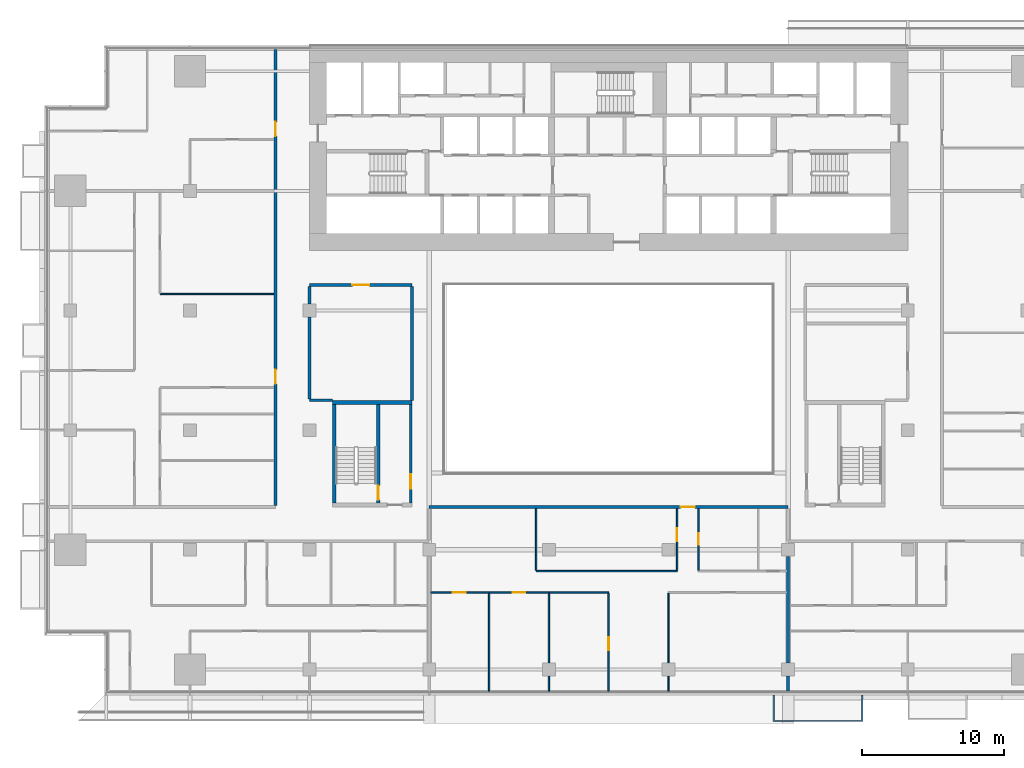
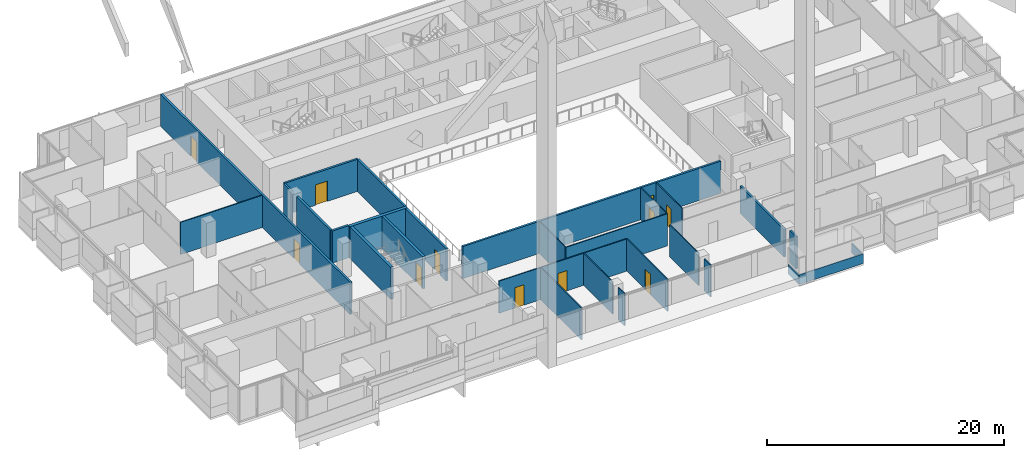
# One storey, part 18 of 30: 26 walls, 11 doors, 11 openings.
"""IFC4 building model written with IfcOpenShell, lengths in metres."""

from ifc_helpers import new_model, si_unit, direction, frame, frame_2d, origin, place, context, subcontext, project, spatial, polyline, rectangle, outline, extrude, material, layer, layer_set, type_object, element, fill, save


model = new_model("IFC4")

# Units and contexts
model_context = context("Model", 3, precision=1e-05, world=origin(), true_north=direction((0.0, 1.0)))
body_context = subcontext(model_context, "Body", "Model", "MODEL_VIEW")
ifc_project = project(units=[si_unit("LENGTHUNIT", "METRE"), si_unit("AREAUNIT", "SQUARE_METRE"), si_unit("VOLUMEUNIT", "CUBIC_METRE"), si_unit("PLANEANGLEUNIT", "RADIAN"), si_unit("MASSUNIT", "GRAM", prefix="KILO")], contexts=[model_context])

# Site, building, storey
site_placement = place(None, origin())
site = spatial("IfcSite", under=ifc_project, at=site_placement, CompositionType="ELEMENT")
building_placement = place(site_placement, origin())
building = spatial("IfcBuilding", under=site, at=building_placement, Name="Saffron Gate Tower", CompositionType="ELEMENT")
storey_placement = place(building_placement, frame((0.0, 0.0, 37.199951171875)))
storey = spatial("IfcBuildingStorey", under=building, at=storey_placement, Name="L07", CompositionType="ELEMENT", Elevation=37.199951171875)

# Wall, opening, door
ifc_material_1 = material(Name="Gypsum board partition on steel studs", Category="steel")
ifc_layer_1 = layer(ifc_material_1, 0.199951171875)
ifc_layer_set_1 = layer_set([ifc_layer_1], Name="CW10 Core partition 200")
wall_type_1 = type_object("IfcWallType", Name="CW10 Core partition 200", PredefinedType="PARTITIONING", material=ifc_layer_set_1)
wall_1_placement = place(storey_placement, frame((73.699951171875, 43.5, 0.0), z_axis=(0.0, 0.0, 1.0), x_axis=(0.0, 1.0, 0.0)))
wall_1 = element("IfcWall", 1, at=wall_1_placement, inside=storey, type_object=wall_type_1, Name="Wall CW10-L07-D-4", PredefinedType="PARTITIONING", context=body_context, shape_type="SweptSolid", body=[
    extrude(rectangle(XDim=6.89990234375, YDim=0.199951171875, at=frame_2d((3.449951171875, 0.0))), origin(), (0.0, 0.0, 1.0), 3.320068359375),
])
opening_1_placement = place(wall_1_placement, frame((1.0, 0.0, 0.0)))
opening_1 = element("IfcOpeningElement", 2, at=opening_1_placement, cuts=wall_1, Name="Opening CR-19", PredefinedType="OPENING", context=body_context, shape_type="SweptSolid", body=[
    extrude(rectangle(XDim=1.0, YDim=2.10009765625, at=frame_2d((0.5, 1.050048828125))), frame((0.0, 0.10986328125, 0.0), z_axis=(0.0, -1.0, 0.0), x_axis=(1.0, 0.0, 0.0)), (0.0, 0.0, 1.0), 0.219970703125),
])
ifc_material_2 = material(Name="Steel fire door set", Category="steel")
door_type_1 = type_object("IfcDoorType", Name="CD4 Lobby door 1000x2100 EI 120", OperationType="NOTDEFINED", PredefinedType="DOOR", material=ifc_material_2)
door_1_placement = place(opening_1_placement, origin())
door_1 = element("IfcDoor", 3, at=door_1_placement, inside=storey, type_object=door_type_1, Name="DOOR CR-19", OperationType="SINGLE_SWING_RIGHT", OverallHeight=2.10009765625, OverallWidth=1.0, PredefinedType="DOOR", context=body_context, shape_type="SweptSolid", body=[
    extrude(rectangle(XDim=1.0, YDim=2.10009765625, at=frame_2d((0.5, 1.050048828125))), frame((0.0, 0.02490234375, 0.0), z_axis=(0.0, -1.0, 0.0), x_axis=(1.0, 0.0, 0.0)), (0.0, 0.0, 1.0), 0.050048828125),
])
fill(opening_1, door_1)

# Wall
ifc_material_3 = material(Name="Concrete C70", Category="concrete")
ifc_layer_2 = layer(ifc_material_3, 0.25)
ifc_layer_set_2 = layer_set([ifc_layer_2], Name="CW2 RC core wall 250 C70")
wall_type_2 = type_object("IfcWallType", Name="CW2 RC core wall 250 C70", PredefinedType="SOLIDWALL", material=ifc_layer_set_2)
wall_2_placement = place(storey_placement, frame((68.324951171875, 43.5, 0.0), z_axis=(0.0, 0.0, 1.0), x_axis=(0.0, 1.0, 0.0)))
element("IfcWall", 4, at=wall_2_placement, inside=storey, type_object=wall_type_2, Name="Wall CW2-L07-D-2", PredefinedType="SOLIDWALL", context=body_context, shape_type="SweptSolid", body=[
    extrude(rectangle(XDim=6.89990234375, YDim=0.25, at=frame_2d((3.449951171875, 0.0))), origin(), (0.0, 0.0, 1.0), 3.320068359375),
])

# Wall, opening, door
wall_3_placement = place(storey_placement, frame((71.425048828125, 43.5, 0.0), z_axis=(0.0, 0.0, 1.0), x_axis=(0.0, 1.0, 0.0)))
wall_3 = element("IfcWall", 5, at=wall_3_placement, inside=storey, type_object=wall_type_2, Name="Wall CW2-L07-D-3", PredefinedType="SOLIDWALL", context=body_context, shape_type="SweptSolid", body=[
    extrude(rectangle(XDim=6.89990234375, YDim=0.25, at=frame_2d((3.449951171875, 0.0))), origin(), (0.0, 0.0, 1.0), 3.320068359375),
])
opening_2_placement = place(wall_3_placement, frame((0.199951171875, 0.0, 0.0)))
opening_2 = element("IfcOpeningElement", 6, at=opening_2_placement, cuts=wall_3, Name="Opening CR-20", PredefinedType="OPENING", context=body_context, shape_type="SweptSolid", body=[
    extrude(rectangle(XDim=1.0, YDim=2.10009765625, at=frame_2d((0.5, 1.050048828125))), frame((0.0, 0.135009765625, 0.0), z_axis=(0.0, -1.0, 0.0), x_axis=(1.0, 0.0, 0.0)), (0.0, 0.0, 1.0), 0.27001953125),
])
door_type_2 = type_object("IfcDoorType", Name="CD5 Stair door 1000x2100 EI 120", OperationType="NOTDEFINED", PredefinedType="DOOR", material=ifc_material_2)
door_2_placement = place(opening_2_placement, origin())
door_2 = element("IfcDoor", 7, at=door_2_placement, inside=storey, type_object=door_type_2, Name="DOOR CR-20", OperationType="SINGLE_SWING_LEFT", OverallHeight=2.10009765625, OverallWidth=1.0, PredefinedType="DOOR", context=body_context, shape_type="SweptSolid", body=[
    extrude(rectangle(XDim=1.0, YDim=2.10009765625, at=frame_2d((0.5, 1.050048828125))), frame((0.0, 0.02490234375, 0.0), z_axis=(0.0, -1.0, 0.0), x_axis=(1.0, 0.0, 0.0)), (0.0, 0.0, 1.0), 0.050048828125),
])
fill(opening_2, door_2)

# Wall
ifc_layer_3 = layer(ifc_material_3, 0.300048828125)
ifc_layer_set_3 = layer_set([ifc_layer_3], Name="CW5 RC core wall 300 C70")
wall_type_3 = type_object("IfcWallType", Name="CW5 RC core wall 300 C70", PredefinedType="SOLIDWALL", material=ifc_layer_set_3)
wall_4_placement = place(storey_placement, frame((68.199951171875, 50.550048828125, 0.0), z_axis=(0.0, 0.0, 1.0), x_axis=(1.0, 0.0, 0.0)))
element("IfcWall", 8, at=wall_4_placement, inside=storey, type_object=wall_type_3, Name="Wall CW5-L07-D-5", PredefinedType="SOLIDWALL", context=body_context, shape_type="SweptSolid", body=[
    extrude(rectangle(XDim=5.60009765625, YDim=0.300048828125, at=frame_2d((2.800048828125, 0.0))), origin(), (0.0, 0.0, 1.0), 3.320068359375),
])

# Wall, openings, doors
ifc_material_4 = material(Name="Plasterboard on steel studs", Category="steel")
ifc_layer_4 = layer(ifc_material_4, 0.10009765625)
ifc_layer_set_4 = layer_set([ifc_layer_4], Name="PW1 Partition 100")
wall_type_4 = type_object("IfcWallType", Name="PW1 Partition 100", PredefinedType="PARTITIONING", material=ifc_layer_set_4)
wall_5_placement = place(storey_placement, frame((87.60009765625, 37.199951171875, 0.0), z_axis=(0.0, 0.0, 1.0), x_axis=(-1.0, 0.0, 0.0)))
wall_5 = element("IfcWall", 9, at=wall_5_placement, inside=storey, type_object=wall_type_4, Name="Partition A1-9", PredefinedType="PARTITIONING", context=body_context, shape_type="SweptSolid", body=[
    extrude(rectangle(XDim=12.5, YDim=0.10009765625, at=frame_2d((6.25, 0.0))), origin(), (0.0, 0.0, 1.0), 3.320068359375),
])
opening_3_placement = place(wall_5_placement, frame((5.85009765625, 0.0, 0.0)))
opening_3 = element("IfcOpeningElement", 10, at=opening_3_placement, cuts=wall_5, Name="Opening A1-14", PredefinedType="OPENING", context=body_context, shape_type="SweptSolid", body=[
    extrude(rectangle(XDim=0.89990234375, YDim=2.10009765625, at=frame_2d((0.449951171875, 1.050048828125))), frame((0.0, 0.06005859375, 0.0), z_axis=(0.0, -1.0, 0.0), x_axis=(1.0, 0.0, 0.0)), (0.0, 0.0, 1.0), 0.1201171875),
])
opening_4_placement = place(wall_5_placement, frame((10.050048828125, 0.0, 0.0)))
opening_4 = element("IfcOpeningElement", 11, at=opening_4_placement, cuts=wall_5, Name="Opening A1-13", PredefinedType="OPENING", context=body_context, shape_type="SweptSolid", body=[
    extrude(rectangle(XDim=0.89990234375, YDim=2.10009765625, at=frame_2d((0.449951171875, 1.050048828125))), frame((0.0, 0.06005859375, 0.0), z_axis=(0.0, -1.0, 0.0), x_axis=(1.0, 0.0, 0.0)), (0.0, 0.0, 1.0), 0.1201171875),
])
ifc_material_5 = material(Name="Timber door set", Category="wood")
door_type_3 = type_object("IfcDoorType", Name="RD1 Room door 900x2100", OperationType="NOTDEFINED", PredefinedType="DOOR", material=ifc_material_5)
door_3_placement = place(opening_3_placement, origin())
door_3 = element("IfcDoor", 12, at=door_3_placement, inside=storey, type_object=door_type_3, Name="Door A1-14", OperationType="SINGLE_SWING_RIGHT", OverallHeight=2.10009765625, OverallWidth=0.89990234375, PredefinedType="DOOR", context=body_context, shape_type="SweptSolid", body=[
    extrude(rectangle(XDim=0.89990234375, YDim=2.10009765625, at=frame_2d((0.449951171875, 1.050048828125))), frame((0.0, 0.02490234375, 0.0), z_axis=(0.0, -1.0, 0.0), x_axis=(1.0, 0.0, 0.0)), (0.0, 0.0, 1.0), 0.050048828125),
])
fill(opening_3, door_3)
door_4_placement = place(opening_4_placement, origin())
door_4 = element("IfcDoor", 13, at=door_4_placement, inside=storey, type_object=door_type_3, Name="Door A1-13", OperationType="SINGLE_SWING_RIGHT", OverallHeight=2.10009765625, OverallWidth=0.89990234375, PredefinedType="DOOR", context=body_context, shape_type="SweptSolid", body=[
    extrude(rectangle(XDim=0.89990234375, YDim=2.10009765625, at=frame_2d((0.449951171875, 1.050048828125))), frame((0.0, 0.02490234375, 0.0), z_axis=(0.0, -1.0, 0.0), x_axis=(1.0, 0.0, 0.0)), (0.0, 0.0, 1.0), 0.050048828125),
])
fill(opening_4, door_4)

# Walls
wall_6_placement = place(storey_placement, frame((82.5, 38.699951171875, 0.0), z_axis=(0.0, 0.0, 1.0), x_axis=(1.0, 0.0, 0.0)))
element("IfcWall", 14, at=wall_6_placement, inside=storey, type_object=wall_type_4, Name="Partition A1-11", PredefinedType="PARTITIONING", context=body_context, shape_type="SweptSolid", body=[
    extrude(rectangle(XDim=9.89990234375, YDim=0.10009765625, at=frame_2d((4.949951171875, 0.0))), origin(), (0.0, 0.0, 1.0), 3.320068359375),
])
wall_7_placement = place(storey_placement, frame((56.10009765625, 58.16162109375, 0.0), z_axis=(0.0, 0.0, 1.0), x_axis=(1.0, 0.0, 0.0)))
element("IfcWall", 15, at=wall_7_placement, inside=storey, type_object=wall_type_4, Name="Partition A1-37", PredefinedType="PARTITIONING", context=body_context, shape_type="SweptSolid", body=[
    extrude(rectangle(XDim=8.0, YDim=0.10009765625, at=frame_2d((4.0, 0.0))), origin(), (0.0, 0.0, 1.0), 3.320068359375),
])
wall_8_placement = place(storey_placement, frame((79.199951171875, 37.14990234375, 0.0), z_axis=(0.0, 0.0, 1.0), x_axis=(0.0, -1.0, 0.0)))
element("IfcWall", 16, at=wall_8_placement, inside=storey, type_object=wall_type_4, Name="Partition A1-75", PredefinedType="PARTITIONING", context=body_context, shape_type="SweptSolid", body=[
    extrude(rectangle(XDim=6.869873046875, YDim=0.10009765625, at=frame_2d((3.43505859375, 0.0))), origin(), (0.0, 0.0, 1.0), 3.320068359375),
])
wall_9_placement = place(storey_placement, frame((82.5, 43.10009765625, 0.0), z_axis=(0.0, 0.0, 1.0), x_axis=(0.0, -1.0, 0.0)))
element("IfcWall", 17, at=wall_9_placement, inside=storey, type_object=wall_type_4, Name="Partition A1-76", PredefinedType="PARTITIONING", context=body_context, shape_type="SweptSolid", body=[
    extrude(rectangle(XDim=4.35009765625, YDim=0.10009765625, at=frame_2d((2.175048828125, 0.0))), origin(), (0.0, 0.0, 1.0), 3.320068359375),
])
wall_10_placement = place(storey_placement, frame((83.39990234375, 31.330078125, 0.0), z_axis=(0.0, 0.0, 1.0), x_axis=(0.0, -1.0, 0.0)))
element("IfcWall", 18, at=wall_10_placement, inside=storey, type_object=wall_type_4, Name="Partition A1-77", PredefinedType="PARTITIONING", context=body_context, shape_type="SweptSolid", body=[
    extrude(rectangle(XDim=1.050048828125, YDim=0.10009765625, at=frame_2d((0.52490234375, 0.0))), origin(), (0.0, 0.0, 1.0), 3.320068359375),
])
wall_11_placement = place(storey_placement, frame((83.39990234375, 37.14990234375, 0.0), z_axis=(0.0, 0.0, 1.0), x_axis=(0.0, -1.0, 0.0)))
element("IfcWall", 19, at=wall_11_placement, inside=storey, type_object=wall_type_4, Name="Partition A1-78", PredefinedType="PARTITIONING", context=body_context, shape_type="SweptSolid", body=[
    extrude(rectangle(XDim=4.8798828125, YDim=0.10009765625, at=frame_2d((2.43994140625, 0.0))), origin(), (0.0, 0.0, 1.0), 3.320068359375),
])

# Wall, opening, door
wall_12_placement = place(storey_placement, frame((87.60009765625, 30.280029296875, 0.0), z_axis=(0.0, 0.0, 1.0), x_axis=(0.0, 1.0, 0.0)))
wall_12 = element("IfcWall", 20, at=wall_12_placement, inside=storey, type_object=wall_type_4, Name="Partition A1-79", PredefinedType="PARTITIONING", context=body_context, shape_type="SweptSolid", body=[
    extrude(rectangle(XDim=6.869873046875, YDim=0.10009765625, at=frame_2d((3.43505859375, 0.0))), origin(), (0.0, 0.0, 1.0), 3.320068359375),
])
opening_5_placement = place(wall_12_placement, frame((2.8701171875, 0.0, 0.0)))
opening_5 = element("IfcOpeningElement", 21, at=opening_5_placement, cuts=wall_12, Name="Opening A1-15", PredefinedType="OPENING", context=body_context, shape_type="SweptSolid", body=[
    extrude(rectangle(XDim=0.89990234375, YDim=2.10009765625, at=frame_2d((0.449951171875, 1.050048828125))), frame((0.0, 0.06005859375, 0.0), z_axis=(0.0, -1.0, 0.0), x_axis=(1.0, 0.0, 0.0)), (0.0, 0.0, 1.0), 0.1201171875),
])
door_5_placement = place(opening_5_placement, origin())
door_5 = element("IfcDoor", 22, at=door_5_placement, inside=storey, type_object=door_type_3, Name="Door A1-15", OperationType="SINGLE_SWING_LEFT", OverallHeight=2.10009765625, OverallWidth=0.89990234375, PredefinedType="DOOR", context=body_context, shape_type="SweptSolid", body=[
    extrude(rectangle(XDim=0.89990234375, YDim=2.10009765625, at=frame_2d((0.449951171875, 1.050048828125))), frame((0.0, 0.02490234375, 0.0), z_axis=(0.0, -1.0, 0.0), x_axis=(1.0, 0.0, 0.0)), (0.0, 0.0, 1.0), 0.050048828125),
])
fill(opening_5, door_5)

# Walls
wall_13_placement = place(storey_placement, frame((91.800048828125, 31.330078125, 0.0), z_axis=(0.0, 0.0, 1.0), x_axis=(0.0, -1.0, 0.0)))
element("IfcWall", 23, at=wall_13_placement, inside=storey, type_object=wall_type_4, Name="Partition A1-80", PredefinedType="PARTITIONING", context=body_context, shape_type="SweptSolid", body=[
    extrude(rectangle(XDim=1.050048828125, YDim=0.10009765625, at=frame_2d((0.52490234375, 0.0))), origin(), (0.0, 0.0, 1.0), 3.320068359375),
])
wall_14_placement = place(storey_placement, frame((91.800048828125, 37.14990234375, 0.0), z_axis=(0.0, 0.0, 1.0), x_axis=(0.0, -1.0, 0.0)))
element("IfcWall", 24, at=wall_14_placement, inside=storey, type_object=wall_type_4, Name="Partition A1-81", PredefinedType="PARTITIONING", context=body_context, shape_type="SweptSolid", body=[
    extrude(rectangle(XDim=4.8798828125, YDim=0.10009765625, at=frame_2d((2.43994140625, 0.0))), origin(), (0.0, 0.0, 1.0), 3.320068359375),
])

# Wall, opening, door
wall_15_placement = place(storey_placement, frame((92.39990234375, 38.75, 0.0), z_axis=(0.0, 0.0, 1.0), x_axis=(0.0, 1.0, 0.0)))
wall_15 = element("IfcWall", 25, at=wall_15_placement, inside=storey, type_object=wall_type_4, Name="Partition A1-82", PredefinedType="PARTITIONING", context=body_context, shape_type="SweptSolid", body=[
    extrude(rectangle(XDim=4.35009765625, YDim=0.10009765625, at=frame_2d((2.175048828125, 0.0))), origin(), (0.0, 0.0, 1.0), 3.320068359375),
])
opening_6_placement = place(wall_15_placement, frame((2.050048828125, 0.0, 0.0)))
opening_6 = element("IfcOpeningElement", 26, at=opening_6_placement, cuts=wall_15, Name="Opening A1-17", PredefinedType="OPENING", context=body_context, shape_type="SweptSolid", body=[
    extrude(rectangle(XDim=0.89990234375, YDim=2.10009765625, at=frame_2d((0.449951171875, 1.050048828125))), frame((0.0, 0.06005859375, 0.0), z_axis=(0.0, -1.0, 0.0), x_axis=(1.0, 0.0, 0.0)), (0.0, 0.0, 1.0), 0.1201171875),
])
door_6_placement = place(opening_6_placement, origin())
door_6 = element("IfcDoor", 27, at=door_6_placement, inside=storey, type_object=door_type_3, Name="Door A1-17", OperationType="SINGLE_SWING_RIGHT", OverallHeight=2.10009765625, OverallWidth=0.89990234375, PredefinedType="DOOR", context=body_context, shape_type="SweptSolid", body=[
    extrude(rectangle(XDim=0.89990234375, YDim=2.10009765625, at=frame_2d((0.449951171875, 1.050048828125))), frame((0.0, 0.02490234375, 0.0), z_axis=(0.0, -1.0, 0.0), x_axis=(1.0, 0.0, 0.0)), (0.0, 0.0, 1.0), 0.050048828125),
])
fill(opening_6, door_6)

wall_16_placement = place(storey_placement, frame((93.89990234375, 43.10009765625, 0.0), z_axis=(0.0, 0.0, 1.0), x_axis=(0.0, -1.0, 0.0)))
wall_16 = element("IfcWall", 28, at=wall_16_placement, inside=storey, type_object=wall_type_4, Name="Partition A1-83", PredefinedType="PARTITIONING", context=body_context, shape_type="SweptSolid", body=[
    extrude(rectangle(XDim=4.35009765625, YDim=0.10009765625, at=frame_2d((2.175048828125, 0.0))), origin(), (0.0, 0.0, 1.0), 3.320068359375),
])
opening_7_placement = place(wall_16_placement, frame((1.75, 0.0, 0.0)))
opening_7 = element("IfcOpeningElement", 29, at=opening_7_placement, cuts=wall_16, Name="Opening A1-38", PredefinedType="OPENING", context=body_context, shape_type="SweptSolid", body=[
    extrude(rectangle(XDim=0.800048828125, YDim=2.10009765625, at=frame_2d((0.39990234375, 1.050048828125))), frame((0.0, 0.06005859375, 0.0), z_axis=(0.0, -1.0, 0.0), x_axis=(1.0, 0.0, 0.0)), (0.0, 0.0, 1.0), 0.1201171875),
])
door_type_4 = type_object("IfcDoorType", Name="RD2 Bathroom door 800x2100", OperationType="NOTDEFINED", PredefinedType="DOOR", material=ifc_material_5)
door_7_placement = place(opening_7_placement, origin())
door_7 = element("IfcDoor", 30, at=door_7_placement, inside=storey, type_object=door_type_4, Name="Door A1-38", OperationType="SINGLE_SWING_LEFT", OverallHeight=2.10009765625, OverallWidth=0.800048828125, PredefinedType="DOOR", context=body_context, shape_type="SweptSolid", body=[
    extrude(rectangle(XDim=0.800048828125, YDim=2.10009765625, at=frame_2d((0.39990234375, 1.050048828125))), frame((0.0, 0.02490234375, 0.0), z_axis=(0.0, -1.0, 0.0), x_axis=(1.0, 0.0, 0.0)), (0.0, 0.0, 1.0), 0.050048828125),
])
fill(opening_7, door_7)

# Walls
ifc_material_6 = material(Name="Clay brick masonry, rendered", Category="masonry")
ifc_layer_5 = layer(ifc_material_6, 0.199951171875)
ifc_layer_set_5 = layer_set([ifc_layer_5], Name="PW2 Demising wall 200")
wall_type_5 = type_object("IfcWallType", Name="PW2 Demising wall 200", PredefinedType="PARTITIONING", material=ifc_layer_set_5)
wall_17_placement = place(storey_placement, frame((100.199951171875, 31.330078125, 0.0), z_axis=(0.0, 0.0, 1.0), x_axis=(0.0, -1.0, 0.0)))
element("IfcWall", 31, at=wall_17_placement, inside=storey, type_object=wall_type_5, Name="Wall A1-86", PredefinedType="PARTITIONING", context=body_context, shape_type="SweptSolid", body=[
    extrude(rectangle(XDim=1.050048828125, YDim=0.199951171875, at=frame_2d((0.52490234375, 0.0))), origin(), (0.0, 0.0, 1.0), 3.320068359375),
])
wall_18_placement = place(storey_placement, frame((100.199951171875, 39.72998046875, 0.0), z_axis=(0.0, 0.0, 1.0), x_axis=(0.0, -1.0, 0.0)))
element("IfcWall", 32, at=wall_18_placement, inside=storey, type_object=wall_type_5, Name="Wall A1-87", PredefinedType="PARTITIONING", context=body_context, shape_type="SweptSolid", body=[
    extrude(rectangle(XDim=7.4599609375, YDim=0.199951171875, at=frame_2d((3.72998046875, 0.0))), origin(), (0.0, 0.0, 1.0), 2.830078125),
])

# Wall, opening, door
ifc_layer_6 = layer(ifc_material_6, 0.199951171875)
ifc_layer_set_6 = layer_set([ifc_layer_6], Name="PW3 Corridor wall 200")
wall_type_6 = type_object("IfcWallType", Name="PW3 Corridor wall 200", PredefinedType="PARTITIONING", material=ifc_layer_set_6)
wall_19_placement = place(storey_placement, frame((100.199951171875, 43.199951171875, 0.0), z_axis=(0.0, 0.0, 1.0), x_axis=(-1.0, 0.0, 0.0)))
wall_19 = element("IfcWall", 33, at=wall_19_placement, inside=storey, type_object=wall_type_6, Name="Wall A1-18", PredefinedType="PARTITIONING", context=body_context, shape_type="SweptSolid", body=[
    extrude(rectangle(XDim=25.199951171875, YDim=0.199951171875, at=frame_2d((12.60009765625, 0.0))), origin(), (0.0, 0.0, 1.0), 3.320068359375),
])
opening_8_placement = place(wall_19_placement, frame((6.550048828125, 0.0, 0.0)))
opening_8 = element("IfcOpeningElement", 34, at=opening_8_placement, cuts=wall_19, Name="Opening A1-2", PredefinedType="OPENING", context=body_context, shape_type="SweptSolid", body=[
    extrude(rectangle(XDim=1.0, YDim=2.10009765625, at=frame_2d((0.5, 1.050048828125))), frame((0.0, 0.10986328125, 0.0), z_axis=(0.0, -1.0, 0.0), x_axis=(1.0, 0.0, 0.0)), (0.0, 0.0, 1.0), 0.219970703125),
])
ifc_material_7 = material(Name="Timber fire door set", Category="wood")
door_type_5 = type_object("IfcDoorType", Name="FD1 Flat entry door 1000x2100", OperationType="NOTDEFINED", PredefinedType="DOOR", material=ifc_material_7)
door_8_placement = place(opening_8_placement, origin())
door_8 = element("IfcDoor", 35, at=door_8_placement, inside=storey, type_object=door_type_5, Name="Door A1-2", OperationType="SINGLE_SWING_RIGHT", OverallHeight=2.10009765625, OverallWidth=1.0, PredefinedType="DOOR", context=body_context, shape_type="SweptSolid", body=[
    extrude(rectangle(XDim=1.0, YDim=2.10009765625, at=frame_2d((0.5, 1.050048828125))), frame((0.0, 0.02490234375, 0.0), z_axis=(0.0, -1.0, 0.0), x_axis=(1.0, 0.0, 0.0)), (0.0, 0.0, 1.0), 0.050048828125),
])
fill(opening_8, door_8)

# Wall
wall_20_placement = place(storey_placement, frame((66.60009765625, 50.699951171875, 0.0), z_axis=(0.0, 0.0, 1.0), x_axis=(1.0, 0.0, 0.0)))
element("IfcWall", 36, at=wall_20_placement, inside=storey, type_object=wall_type_6, Name="Wall A1-30", PredefinedType="PARTITIONING", context=body_context, shape_type="SweptSolid", body=[
    extrude(rectangle(XDim=1.599853515625, YDim=0.199951171875, at=frame_2d((0.7998046875, 0.0))), origin(), (0.0, 0.0, 1.0), 3.320068359375),
])

# Wall, opening, door
wall_21_placement = place(storey_placement, frame((73.800048828125, 58.800048828125, 0.0), z_axis=(0.0, 0.0, 1.0), x_axis=(-1.0, 0.0, 0.0)))
wall_21 = element("IfcWall", 37, at=wall_21_placement, inside=storey, type_object=wall_type_6, Name="Wall A1-38", PredefinedType="PARTITIONING", context=body_context, shape_type="SweptSolid", body=[
    extrude(rectangle(XDim=7.199951171875, YDim=0.199951171875, at=frame_2d((3.60009765625, 0.0))), origin(), (0.0, 0.0, 1.0), 3.320068359375),
])
opening_9_placement = place(wall_21_placement, frame((3.0, 0.0, 0.0)))
opening_9 = element("IfcOpeningElement", 38, at=opening_9_placement, cuts=wall_21, Name="Opening A1-49", PredefinedType="OPENING", context=body_context, shape_type="SweptSolid", body=[
    extrude(rectangle(XDim=1.199951171875, YDim=2.10009765625, at=frame_2d((0.60009765625, 1.050048828125))), frame((0.0, 0.10986328125, 0.0), z_axis=(0.0, -1.0, 0.0), x_axis=(1.0, 0.0, 0.0)), (0.0, 0.0, 1.0), 0.219970703125),
])
door_type_6 = type_object("IfcDoorType", Name="HD1 Hall door 1200x2100", OperationType="NOTDEFINED", PredefinedType="DOOR", material=ifc_material_5)
door_9_placement = place(opening_9_placement, origin())
door_9 = element("IfcDoor", 39, at=door_9_placement, inside=storey, type_object=door_type_6, Name="Door A1-49", OperationType="SINGLE_SWING_LEFT", OverallHeight=2.10009765625, OverallWidth=1.199951171875, PredefinedType="DOOR", context=body_context, shape_type="SweptSolid", body=[
    extrude(rectangle(XDim=1.199951171875, YDim=2.10009765625, at=frame_2d((0.60009765625, 1.050048828125))), frame((0.0, 0.02490234375, 0.0), z_axis=(0.0, -1.0, 0.0), x_axis=(1.0, 0.0, 0.0)), (0.0, 0.0, 1.0), 0.050048828125),
])
fill(opening_9, door_9)

# Wall, openings, doors
wall_22_placement = place(storey_placement, frame((64.199951171875, 43.300048828125, 0.0), z_axis=(0.0, 0.0, 1.0), x_axis=(0.0, 1.0, 0.0)))
wall_22 = element("IfcWall", 40, at=wall_22_placement, inside=storey, type_object=wall_type_6, Name="Wall A1-64", PredefinedType="PARTITIONING", context=body_context, shape_type="SweptSolid", body=[
    extrude(rectangle(XDim=32.02001953125, YDim=0.199951171875, at=frame_2d((16.010009765625, 0.0))), origin(), (0.0, 0.0, 1.0), 3.320068359375),
])
opening_10_placement = place(wall_22_placement, frame((8.550048828125, 0.0, 0.0)))
opening_10 = element("IfcOpeningElement", 41, at=opening_10_placement, cuts=wall_22, Name="Opening A1-4", PredefinedType="OPENING", context=body_context, shape_type="SweptSolid", body=[
    extrude(rectangle(XDim=1.0, YDim=2.10009765625, at=frame_2d((0.5, 1.050048828125))), frame((0.0, 0.10986328125, 0.0), z_axis=(0.0, -1.0, 0.0), x_axis=(1.0, 0.0, 0.0)), (0.0, 0.0, 1.0), 0.219970703125),
])
opening_11_placement = place(wall_22_placement, frame((25.949951171875, 0.0, 0.0)))
opening_11 = element("IfcOpeningElement", 42, at=opening_11_placement, cuts=wall_22, Name="Opening A1-5", PredefinedType="OPENING", context=body_context, shape_type="SweptSolid", body=[
    extrude(rectangle(XDim=1.0, YDim=2.10009765625, at=frame_2d((0.5, 1.050048828125))), frame((0.0, 0.10986328125, 0.0), z_axis=(0.0, -1.0, 0.0), x_axis=(1.0, 0.0, 0.0)), (0.0, 0.0, 1.0), 0.219970703125),
])
door_10_placement = place(opening_10_placement, origin())
door_10 = element("IfcDoor", 43, at=door_10_placement, inside=storey, type_object=door_type_5, Name="Door A1-4", OperationType="SINGLE_SWING_RIGHT", OverallHeight=2.10009765625, OverallWidth=1.0, PredefinedType="DOOR", context=body_context, shape_type="SweptSolid", body=[
    extrude(rectangle(XDim=1.0, YDim=2.10009765625, at=frame_2d((0.5, 1.050048828125))), frame((0.0, 0.02490234375, 0.0), z_axis=(0.0, -1.0, 0.0), x_axis=(1.0, 0.0, 0.0)), (0.0, 0.0, 1.0), 0.050048828125),
])
fill(opening_10, door_10)
door_11_placement = place(opening_11_placement, origin())
door_11 = element("IfcDoor", 44, at=door_11_placement, inside=storey, type_object=door_type_5, Name="Door A1-5", OperationType="SINGLE_SWING_LEFT", OverallHeight=2.10009765625, OverallWidth=1.0, PredefinedType="DOOR", context=body_context, shape_type="SweptSolid", body=[
    extrude(rectangle(XDim=1.0, YDim=2.10009765625, at=frame_2d((0.5, 1.050048828125))), frame((0.0, 0.02490234375, 0.0), z_axis=(0.0, -1.0, 0.0), x_axis=(1.0, 0.0, 0.0)), (0.0, 0.0, 1.0), 0.050048828125),
])
fill(opening_11, door_11)

# Walls
wall_23_placement = place(storey_placement, frame((66.60009765625, 56.530029296875, 0.0), z_axis=(0.0, 0.0, 1.0), x_axis=(0.0, -1.0, 0.0)))
element("IfcWall", 45, at=wall_23_placement, inside=storey, type_object=wall_type_6, Name="Wall A1-65", PredefinedType="PARTITIONING", context=body_context, shape_type="SweptSolid", body=[
    extrude(rectangle(XDim=5.72998046875, YDim=0.199951171875, at=frame_2d((2.864990234375, 0.0))), origin(), (0.0, 0.0, 1.0), 3.320068359375),
])
wall_24_placement = place(storey_placement, frame((66.60009765625, 58.699951171875, 0.0), z_axis=(0.0, 0.0, 1.0), x_axis=(0.0, -1.0, 0.0)))
element("IfcWall", 46, at=wall_24_placement, inside=storey, type_object=wall_type_6, Name="Wall A1-66", PredefinedType="PARTITIONING", context=body_context, shape_type="SweptSolid", body=[
    extrude(rectangle(XDim=1.22998046875, YDim=0.199951171875, at=frame_2d((0.614990234375, 0.0))), origin(), (0.0, 0.0, 1.0), 3.320068359375),
])
wall_25_placement = place(storey_placement, frame((73.800048828125, 58.699951171875, 0.0), z_axis=(0.0, 0.0, 1.0), x_axis=(0.0, -1.0, 0.0)))
element("IfcWall", 47, at=wall_25_placement, inside=storey, type_object=wall_type_6, Name="Wall A1-71", PredefinedType="PARTITIONING", context=body_context, shape_type="SweptSolid", body=[
    extrude(rectangle(XDim=8.0, YDim=0.199951171875, at=frame_2d((4.0, 0.0))), origin(), (0.0, 0.0, 1.0), 3.320068359375),
])
ifc_material_8 = material(Name="Rendered insulated panel, white")
ifc_layer_7 = layer(ifc_material_8, 0.10009765625)
ifc_layer_set_7 = layer_set([ifc_layer_7], Name="WB3 box parapet white")
wall_type_7 = type_object("IfcWallType", Name="WB3 box parapet white", PredefinedType="SOLIDWALL", material=ifc_layer_set_7)
wall_26_placement = place(storey_placement, origin())
element("IfcWall", 48, at=wall_26_placement, inside=storey, type_object=wall_type_7, Name="WINDOW BOX parapet", PredefinedType="SOLIDWALL", context=body_context, shape_type="SweptSolid", body=[
    extrude(outline(polyline([(99.14990234375, 30.0), (99.25, 30.0), (99.25, 28.23291015625), (105.35009765625, 28.23291015625), (105.35009765625, 30.0), (105.449951171875, 30.0), (105.449951171875, 28.133056640625), (99.14990234375, 28.133056640625), (99.14990234375, 30.0)])), origin(), (0.0, 0.0, 1.0), 1.0),
])

save(model, "model.ifc")
